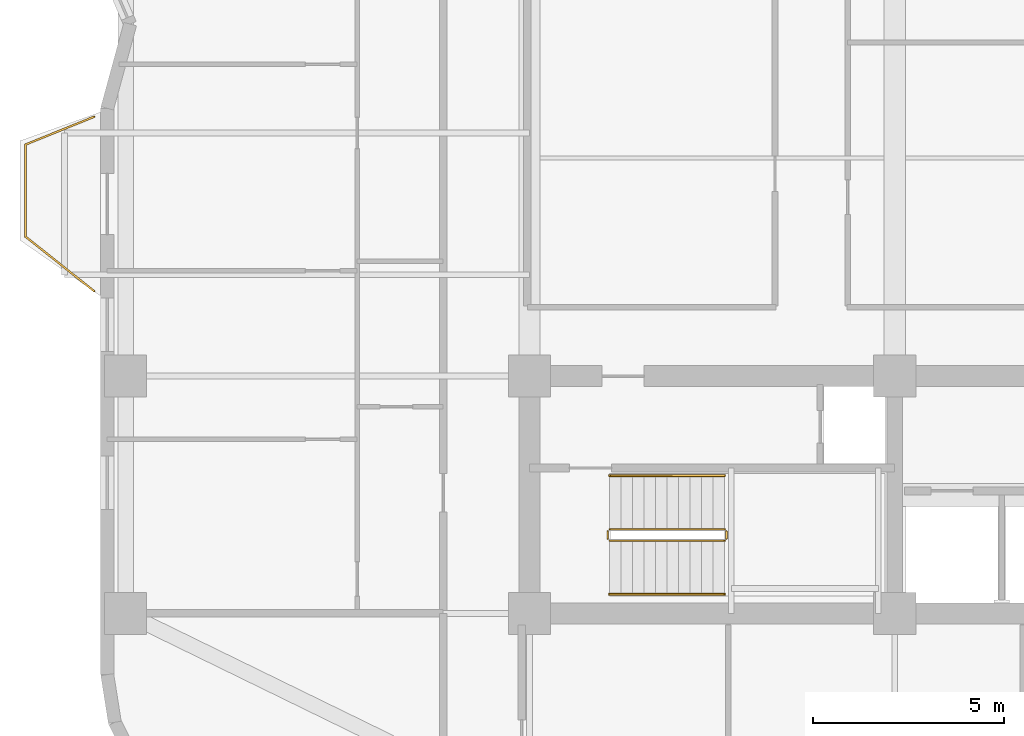
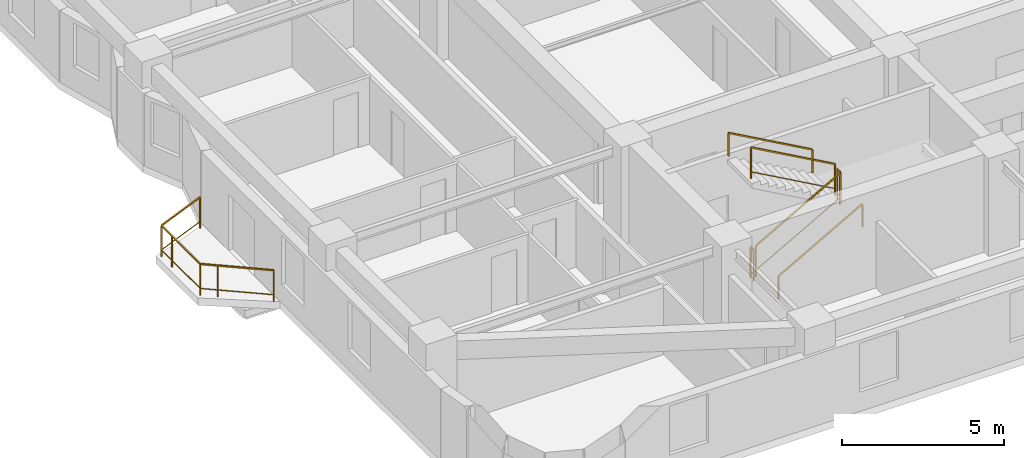
# One storey, part 8 of 9: 7 railings.
"""IFC4 building model written with IfcOpenShell, lengths in metres."""

from ifc_helpers import new_model, si_unit, direction, frame, origin, origin_2d, place, context, subcontext, project, spatial, rectangle, extrude, material, type_object, element, save


model = new_model("IFC4")

# Units and contexts
model_context = context("Model", 3, precision=1e-05, world=origin(), true_north=direction((0.0, 1.0)))
body_context = subcontext(model_context, "Body", "Model", "MODEL_VIEW")
ifc_project = project(units=[si_unit("LENGTHUNIT", "METRE"), si_unit("AREAUNIT", "SQUARE_METRE"), si_unit("VOLUMEUNIT", "CUBIC_METRE"), si_unit("PLANEANGLEUNIT", "RADIAN"), si_unit("MASSUNIT", "GRAM", prefix="KILO")], contexts=[model_context])

# Site, building, storey
site_placement = place(None, origin())
site = spatial("IfcSite", under=ifc_project, at=site_placement, CompositionType="ELEMENT")
building_placement = place(site_placement, origin())
building = spatial("IfcBuilding", under=site, at=building_placement, Name="Svetorya Sky Lyceum", CompositionType="ELEMENT")
storey_placement = place(building_placement, frame((0.0, 0.0, 92.0)))
storey = spatial("IfcBuildingStorey", under=building, at=storey_placement, Name="L22", CompositionType="ELEMENT", Elevation=92.0)

# Railings
ifc_material_1 = material(Name="Laminated safety glass and stainless AISI 316", Category="glass")
railing_type_1 = type_object("IfcRailingType", Name="RL-BAL-1200", PredefinedType="BALUSTRADE", material=ifc_material_1)
railing_1_placement = place(storey_placement, frame((14.22998046875, 19.02001953125, 0.0)))
element("IfcRailing", 1, at=railing_1_placement, inside=storey, type_object=railing_type_1, Name="L22 Balcony Balustrade BAL-W1", PredefinedType="BALUSTRADE", context=body_context, shape_type="SweptSolid", body=[
    extrude(rectangle(XDim=0.048095703125, YDim=0.048095703125, at=origin_2d()), frame((0.0, 0.0, 1.17578125), z_axis=(-0.783008919264, 0.622010476079, 0.0), x_axis=(-0.622010476079, -0.783008919264, 0.0)), (0.0, 0.0, 1.0), 2.298828125),
    extrude(rectangle(XDim=0.02392578125, YDim=0.02392578125, at=origin_2d()), frame((0.0, 0.0, 0.25), z_axis=(-0.783008919264, 0.622010476079, 0.0), x_axis=(-0.622010476079, -0.783008919264, 0.0)), (0.0, 0.0, 1.0), 2.298828125),
    extrude(rectangle(XDim=0.048095703125, YDim=0.048095703125, at=origin_2d()), frame((-1.800048828125, 1.429931640625, 1.17578125), z_axis=(0.0, 1.0, 0.0), x_axis=(-1.0, 0.0, 0.0)), (0.0, 0.0, 1.0), 2.400146484375),
    extrude(rectangle(XDim=0.02392578125, YDim=0.02392578125, at=origin_2d()), frame((-1.800048828125, 1.429931640625, 0.25), z_axis=(0.0, 1.0, 0.0), x_axis=(-1.0, 0.0, 0.0)), (0.0, 0.0, 1.0), 2.400146484375),
    extrude(rectangle(XDim=0.048095703125, YDim=0.048095703125, at=origin_2d()), frame((-1.800048828125, 3.830078125, 1.17578125), z_axis=(0.926697865975, 0.375807218129, 0.0), x_axis=(-0.375807218129, 0.926697865975, 0.0)), (0.0, 0.0, 1.0), 1.9423828125),
    extrude(rectangle(XDim=0.02392578125, YDim=0.02392578125, at=origin_2d()), frame((-1.800048828125, 3.830078125, 0.25), z_axis=(0.926697865975, 0.375807218129, 0.0), x_axis=(-0.375807218129, 0.926697865975, 0.0)), (0.0, 0.0, 1.0), 1.9423828125),
    extrude(rectangle(XDim=0.0419921875, YDim=0.0419921875, at=origin_2d()), origin(), (0.0, 0.0, 1.0), 1.15185546875),
    extrude(rectangle(XDim=0.0419921875, YDim=0.0419921875, at=origin_2d()), frame((-1.370361328125, 1.088623046875, 0.0)), (0.0, 0.0, 1.0), 1.15185546875),
    extrude(rectangle(XDim=0.0419921875, YDim=0.0419921875, at=origin_2d()), frame((-1.800048828125, 1.429931640625, 0.0)), (0.0, 0.0, 1.0), 1.15185546875),
    extrude(rectangle(XDim=0.0419921875, YDim=0.0419921875, at=origin_2d()), frame((-1.800048828125, 3.179931640625, 0.0)), (0.0, 0.0, 1.0), 1.15185546875),
    extrude(rectangle(XDim=0.0419921875, YDim=0.0419921875, at=origin_2d()), frame((-1.800048828125, 3.830078125, 0.0)), (0.0, 0.0, 1.0), 1.15185546875),
    extrude(rectangle(XDim=0.0419921875, YDim=0.0419921875, at=origin_2d()), frame((0.0, 4.56005859375, 0.0)), (0.0, 0.0, 1.0), 1.15185546875),
])
ifc_material_2 = material(Name="Painted galvanized stair well guard")
railing_type_2 = type_object("IfcRailingType", Name="RL-STR-GUARD-1200", PredefinedType="GUARDRAIL", material=ifc_material_2)
railing_2_placement = place(storey_placement, frame((27.699951171875, 12.5, 0.168212890625)))
element("IfcRailing", 2, at=railing_2_placement, inside=storey, type_object=railing_type_2, Name="L22 ST-S stair guard 1", PredefinedType="GUARDRAIL", context=body_context, shape_type="SweptSolid", body=[
    extrude(rectangle(XDim=0.048095703125, YDim=0.048095703125, at=origin_2d()), frame((0.0, 0.0, 1.17578125), z_axis=(0.872272294576, 0.0, 0.489020494575), x_axis=(0.0, 1.0, 0.0)), (0.0, 0.0, 1.0), 3.439208984375),
    extrude(rectangle(XDim=0.02392578125, YDim=0.02392578125, at=origin_2d()), frame((0.0, 0.0, 0.25), z_axis=(0.872272294576, 0.0, 0.489020494575), x_axis=(0.0, 1.0, 0.0)), (0.0, 0.0, 1.0), 3.439208984375),
    extrude(rectangle(XDim=0.0419921875, YDim=0.0419921875, at=origin_2d()), origin(), (0.0, 0.0, 1.0), 1.15185546875),
    extrude(rectangle(XDim=0.0419921875, YDim=0.0419921875, at=origin_2d()), frame((3.0, 0.0, 1.681884765625)), (0.0, 0.0, 1.0), 1.15185546875),
])
railing_3_placement = place(storey_placement, frame((30.75, 12.550048828125, 1.85009765625)))
element("IfcRailing", 3, at=railing_3_placement, inside=storey, type_object=railing_type_2, Name="L22 ST-S stair guard 2", PredefinedType="GUARDRAIL", context=body_context, shape_type="SweptSolid", body=[
    extrude(rectangle(XDim=0.048095703125, YDim=0.048095703125, at=origin_2d()), frame((0.0, 0.0, 1.17578125), z_axis=(0.0, 1.0, 0.0), x_axis=(-1.0, 0.0, 0.0)), (0.0, 0.0, 1.0), 0.199951171875),
    extrude(rectangle(XDim=0.02392578125, YDim=0.02392578125, at=origin_2d()), frame((0.0, 0.0, 0.25), z_axis=(0.0, 1.0, 0.0), x_axis=(-1.0, 0.0, 0.0)), (0.0, 0.0, 1.0), 0.199951171875),
    extrude(rectangle(XDim=0.0419921875, YDim=0.0419921875, at=origin_2d()), origin(), (0.0, 0.0, 1.0), 1.15185546875),
    extrude(rectangle(XDim=0.0419921875, YDim=0.0419921875, at=origin_2d()), frame((0.0, 0.199951171875, 0.0)), (0.0, 0.0, 1.0), 1.15185546875),
])
railing_4_placement = place(storey_placement, frame((30.699951171875, 12.800048828125, 2.01806640625)))
element("IfcRailing", 4, at=railing_4_placement, inside=storey, type_object=railing_type_2, Name="L22 ST-S stair guard 3", PredefinedType="GUARDRAIL", context=body_context, shape_type="SweptSolid", body=[
    extrude(rectangle(XDim=0.048095703125, YDim=0.048095703125, at=origin_2d()), frame((0.0, 0.0, 1.17578125), z_axis=(-0.872272294576, 0.0, 0.489020494575), x_axis=(0.0, -1.0, 0.0)), (0.0, 0.0, 1.0), 3.439208984375),
    extrude(rectangle(XDim=0.02392578125, YDim=0.02392578125, at=origin_2d()), frame((0.0, 0.0, 0.25), z_axis=(-0.872272294576, 0.0, 0.489020494575), x_axis=(0.0, -1.0, 0.0)), (0.0, 0.0, 1.0), 3.439208984375),
    extrude(rectangle(XDim=0.0419921875, YDim=0.0419921875, at=origin_2d()), origin(), (0.0, 0.0, 1.0), 1.15185546875),
    extrude(rectangle(XDim=0.0419921875, YDim=0.0419921875, at=origin_2d()), frame((-3.0, 0.0, 1.681884765625)), (0.0, 0.0, 1.0), 1.15185546875),
])
railing_5_placement = place(storey_placement, frame((27.64990234375, 12.550048828125, 0.0)))
element("IfcRailing", 5, at=railing_5_placement, inside=storey, type_object=railing_type_2, Name="L22 ST-S stair guard 4", PredefinedType="GUARDRAIL", context=body_context, shape_type="SweptSolid", body=[
    extrude(rectangle(XDim=0.048095703125, YDim=0.048095703125, at=origin_2d()), frame((0.0, 0.0, 1.17578125), z_axis=(0.0, 1.0, 0.0), x_axis=(-1.0, 0.0, 0.0)), (0.0, 0.0, 1.0), 0.199951171875),
    extrude(rectangle(XDim=0.02392578125, YDim=0.02392578125, at=origin_2d()), frame((0.0, 0.0, 0.25), z_axis=(0.0, 1.0, 0.0), x_axis=(-1.0, 0.0, 0.0)), (0.0, 0.0, 1.0), 0.199951171875),
    extrude(rectangle(XDim=0.0419921875, YDim=0.0419921875, at=origin_2d()), origin(), (0.0, 0.0, 1.0), 1.15185546875),
    extrude(rectangle(XDim=0.0419921875, YDim=0.0419921875, at=origin_2d()), frame((0.0, 0.199951171875, 0.0)), (0.0, 0.0, 1.0), 1.15185546875),
])
ifc_material_3 = material(Name="Brushed stainless AISI 304 stair handrail")
railing_type_3 = type_object("IfcRailingType", Name="RL-STR-HAND-920", PredefinedType="HANDRAIL", material=ifc_material_3)
railing_6_placement = place(storey_placement, frame((27.699951171875, 11.10009765625, 0.168212890625)))
element("IfcRailing", 6, at=railing_6_placement, inside=storey, type_object=railing_type_3, Name="L22 ST-S stair handrail 1", PredefinedType="HANDRAIL", context=body_context, shape_type="SweptSolid", body=[
    extrude(rectangle(XDim=0.048095703125, YDim=0.048095703125, at=origin_2d()), frame((0.0, 0.0, 0.8759765625), z_axis=(0.872272294576, 0.0, 0.489020494575), x_axis=(0.0, 1.0, 0.0)), (0.0, 0.0, 1.0), 3.439208984375),
    extrude(rectangle(XDim=0.0419921875, YDim=0.0419921875, at=origin_2d()), origin(), (0.0, 0.0, 1.0), 0.851806640625),
    extrude(rectangle(XDim=0.0419921875, YDim=0.0419921875, at=origin_2d()), frame((3.0, 0.0, 1.681884765625)), (0.0, 0.0, 1.0), 0.851806640625),
])
railing_7_placement = place(storey_placement, frame((30.699951171875, 14.199951171875, 2.01806640625)))
element("IfcRailing", 7, at=railing_7_placement, inside=storey, type_object=railing_type_3, Name="L22 ST-S stair handrail 2", PredefinedType="HANDRAIL", context=body_context, shape_type="SweptSolid", body=[
    extrude(rectangle(XDim=0.048095703125, YDim=0.048095703125, at=origin_2d()), frame((0.0, 0.0, 0.8759765625), z_axis=(-0.872272294576, 0.0, 0.489020494575), x_axis=(0.0, -1.0, 0.0)), (0.0, 0.0, 1.0), 3.439208984375),
    extrude(rectangle(XDim=0.0419921875, YDim=0.0419921875, at=origin_2d()), origin(), (0.0, 0.0, 1.0), 0.851806640625),
    extrude(rectangle(XDim=0.0419921875, YDim=0.0419921875, at=origin_2d()), frame((-3.0, 0.0, 1.681884765625)), (0.0, 0.0, 1.0), 0.851806640625),
])

save(model, "model.ifc")
